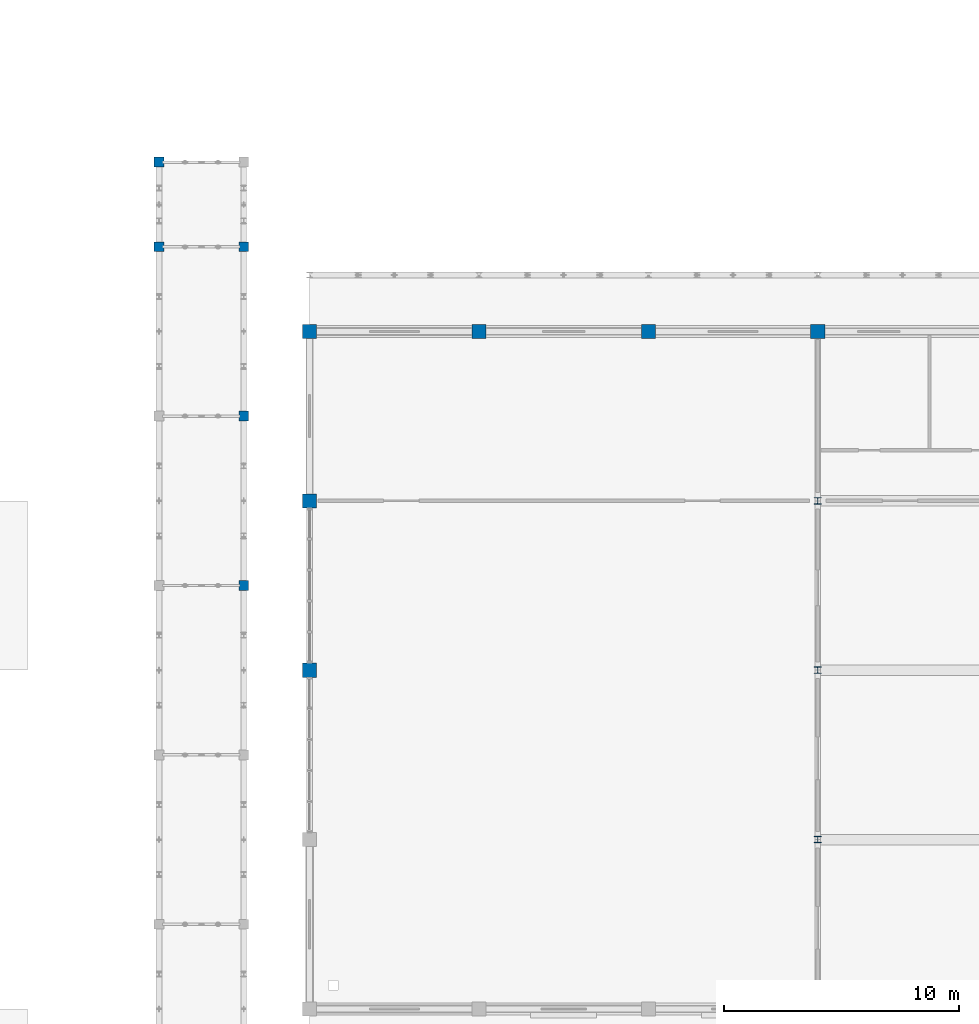
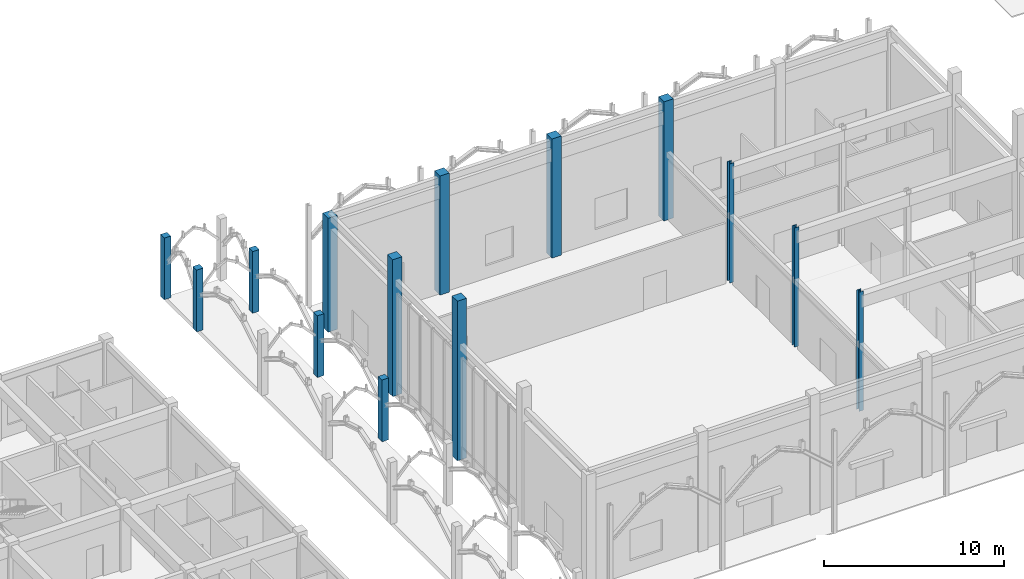
# One storey, part 8 of 138: 14 columns.
"""IFC4 building model written with IfcOpenShell, lengths in metres."""

import ifcopenshell
import ifcopenshell.guid

model = None  # the IFC model being written
_history = None  # IfcOwnerHistory: only IFC2X3 demands one
_inside = {}  # id of a spatial element -> (the spatial element, [elements in it])
_under = {}  # id of a project, library or spatial element -> (it, [spatial elements below it])
_declared = {}  # id of a project -> (the project, [libraries it declares])
_typed = {}  # id of a type object -> (the type object, [elements of that type])
_made_of = {}  # id of a material, layer set ... -> (it, [elements and type objects made of it])


def new_model(schema):
    """Start an empty IFC model of exactly this schema.

    Asked for "IFC4X3", IfcOpenShell would pick the latest addendum, in which some entities
    have other attributes; the version numbers below select the first issue.
    IFC2X3 requires an IfcOwnerHistory on every rooted entity: one is made here for all.
    """
    global model, _history
    if schema == "IFC4X3":
        model = ifcopenshell.file(schema_version=(4, 3, 0, 0))
    else:
        model = ifcopenshell.file(schema=schema)
    _inside.clear()
    _under.clear()
    _declared.clear()
    _typed.clear()
    _made_of.clear()
    _history = None
    if model.schema == "IFC2X3":
        org = make("IfcOrganization", Name="unknown")
        user = make(
            "IfcPersonAndOrganization",
            ThePerson=make("IfcPerson", FamilyName="unknown"),
            TheOrganization=org,
        )
        app = make(
            "IfcApplication",
            ApplicationDeveloper=org,
            Version="unknown",
            ApplicationFullName="unknown",
            ApplicationIdentifier="unknown",
        )
        _history = make(
            "IfcOwnerHistory",
            OwningUser=user,
            OwningApplication=app,
            ChangeAction="ADDED",
            CreationDate=0,
        )
    return model


def make(cls, **values):
    """One entity of the class cls with the attributes given. An attribute that is None is left unset."""
    return model.create_entity(
        cls, **{name: value for name, value in values.items() if value is not None}
    )


def rooted(cls, **values):
    """An entity with a GlobalId (a new one), such as an element, a storey or a relation."""
    return make(cls, GlobalId=ifcopenshell.guid.new(), OwnerHistory=_history, **values)


def si_unit(unit_type, name, prefix=None):
    """IfcSIUnit, for example si_unit("LENGTHUNIT", "METRE", prefix="MILLI")."""
    return make("IfcSIUnit", UnitType=unit_type, Prefix=prefix, Name=name)


def assignment(units):
    """IfcUnitAssignment: the units of a project."""
    return None if units is None else make("IfcUnitAssignment", Units=units)


def point(xyz):
    """IfcCartesianPoint."""
    return None if xyz is None else make("IfcCartesianPoint", Coordinates=xyz)


def direction(xyz):
    """IfcDirection."""
    return None if xyz is None else make("IfcDirection", DirectionRatios=xyz)


def frame(location, z_axis=None, x_axis=None):
    """IfcAxis2Placement3D, a coordinate frame: its origin and axes. An axis left out is left unset."""
    return make(
        "IfcAxis2Placement3D",
        Location=point(location),
        Axis=direction(z_axis),
        RefDirection=direction(x_axis),
    )


def frame_2d(location, x_axis=None):
    """IfcAxis2Placement2D, a coordinate frame in the plane: its origin and x axis."""
    return make(
        "IfcAxis2Placement2D", Location=point(location), RefDirection=direction(x_axis)
    )


def origin():
    """The frame at (0, 0, 0) with its axes left unset."""
    return frame((0.0, 0.0, 0.0))


def origin_2d():
    """The frame at (0, 0) in the plane with its x axis left unset."""
    return frame_2d((0.0, 0.0))


def place(relative_to, where):
    """IfcLocalPlacement: puts the frame where relative to a parent placement (None: the world)."""
    return make(
        "IfcLocalPlacement", PlacementRelTo=relative_to, RelativePlacement=where
    )


def context(
    kind, dimensions, precision=None, world=None, true_north=None, identifier=None
):
    """IfcGeometricRepresentationContext, for example the 3D "Model" context."""
    return make(
        "IfcGeometricRepresentationContext",
        ContextIdentifier=identifier,
        ContextType=kind,
        CoordinateSpaceDimension=dimensions,
        Precision=precision,
        WorldCoordinateSystem=world,
        TrueNorth=true_north,
    )


def subcontext(parent, identifier, kind, view, scale=None):
    """IfcGeometricRepresentationSubContext, for example "Body" below "Model"."""
    return make(
        "IfcGeometricRepresentationSubContext",
        ContextIdentifier=identifier,
        ContextType=kind,
        ParentContext=parent,
        TargetScale=scale,
        TargetView=view,
    )


def project(units=None, contexts=None):
    """IfcProject with its units and contexts."""
    return rooted(
        "IfcProject",
        Name="project",
        RepresentationContexts=contexts,
        UnitsInContext=assignment(units),
    )


def spatial(cls, under=None, at=None, **own):
    """A site, building, storey or space (cls), placed at a placement, below another one or the project."""
    s = rooted(cls, ObjectPlacement=at, **own)
    if under is not None:
        _under.setdefault(under.id(), (under, []))[1].append(s)
    return s


def profile(cls, at=None, kind="AREA", **sizes):
    """A parametric profile (cls). Its sizes go by their IFC names, for example OverallWidth=200.0."""
    return make(cls, ProfileType=kind, Position=at, **sizes)


def rectangle(**sizes):
    """IfcRectangleProfileDef."""
    return profile("IfcRectangleProfileDef", **sizes)


def i_section(**sizes):
    """IfcIShapeProfileDef."""
    return profile("IfcIShapeProfileDef", **sizes)


def extrude(swept, where, along, depth):
    """IfcExtrudedAreaSolid: the profile swept, set in the frame where, extruded along a direction by depth."""
    return make(
        "IfcExtrudedAreaSolid",
        SweptArea=swept,
        Position=where,
        ExtrudedDirection=direction(along),
        Depth=depth,
    )


def shape(context_of_items, identifier, shape_type, items):
    """IfcShapeRepresentation: the items that make up one representation, for example the "Body"."""
    return make(
        "IfcShapeRepresentation",
        ContextOfItems=context_of_items,
        RepresentationIdentifier=identifier,
        RepresentationType=shape_type,
        Items=items,
    )


def material(Name=None, Category=None):
    """IfcMaterial."""
    return make("IfcMaterial", Name=Name, Category=Category)


def material_profile(
    of_material, cross_section, Name=None, Category=None, Priority=None
):
    """IfcMaterialProfile: a cross section and its material."""
    return make(
        "IfcMaterialProfile",
        Name=Name,
        Material=of_material,
        Profile=cross_section,
        Priority=Priority,
        Category=Category,
    )


def profile_set(profiles, Name=None, composite=None):
    """IfcMaterialProfileSet."""
    return make(
        "IfcMaterialProfileSet",
        Name=Name,
        MaterialProfiles=profiles,
        CompositeProfile=composite,
    )


def made_of(thing, what):
    """Note that an element or type object is made of a material, layer set ...; save() writes the relation."""
    if what is not None:
        _made_of.setdefault(what.id(), (what, []))[1].append(thing)
    return thing


def type_object(cls, material=None, **own):
    """A type object (cls), such as IfcWallType, which elements share."""
    return made_of(rooted(cls, **own), material)


def element(
    cls,
    number,
    at=None,
    inside=None,
    cuts=None,
    type_object=None,
    material=None,
    context=None,
    identifier="Body",
    shape_type=None,
    held_by="IfcProductDefinitionShape",
    body=None,
    shapes=None,
    **own,
):
    """One element of the class cls, such as IfcWall. Its Tag is "e" and its number.

    at: its placement. inside: the storey or other place that contains it. cuts: it is an
    opening in that element (IfcRelVoidsElement). A single representation is given by context,
    identifier, shape_type and body (its items); several are given by shapes. held_by: the class
    of the entity that holds the representations. save() writes the other relations.
    """
    e = rooted(cls, Tag="e%d" % number, ObjectPlacement=at, **own)
    if body is not None:
        shapes = [shape(context, identifier, shape_type, body)]
    if shapes is not None:
        e.Representation = make(held_by, Representations=shapes)
    if inside is not None:
        _inside.setdefault(inside.id(), (inside, []))[1].append(e)
    if cuts is not None:
        rooted(
            "IfcRelVoidsElement", RelatingBuildingElement=cuts, RelatedOpeningElement=e
        )
    if type_object is not None:
        _typed.setdefault(type_object.id(), (type_object, []))[1].append(e)
    return made_of(e, material)


def aggregate(whole, parts):
    """IfcRelAggregates: a whole, such as a stair, and the parts it consists of."""
    return rooted("IfcRelAggregates", RelatingObject=whole, RelatedObjects=parts)


def save(model, path):
    """Write the relations noted so far, then the file.

    IfcRelAggregates (storeys below a building ...), IfcRelContainedInSpatialStructure (elements
    in a storey), IfcRelDefinesByType, IfcRelAssociatesMaterial and IfcRelDeclares: one each for
    every whole, place, type object, material and project.
    """
    for whole, parts in _under.values():
        aggregate(whole, parts)
    for where, things in _inside.values():
        rooted(
            "IfcRelContainedInSpatialStructure",
            RelatedElements=things,
            RelatingStructure=where,
        )
    for kind, things in _typed.values():
        rooted("IfcRelDefinesByType", RelatedObjects=things, RelatingType=kind)
    for what, things in _made_of.values():
        rooted("IfcRelAssociatesMaterial", RelatedObjects=things, RelatingMaterial=what)
    for by, libraries in _declared.values():
        rooted("IfcRelDeclares", RelatingContext=by, RelatedDefinitions=libraries)
    model.write(path)


model = new_model("IFC4")

# Units and contexts
model_context = context("Model", 3, precision=1e-05, world=origin(), true_north=direction((0.0, 1.0)))
body_context = subcontext(model_context, "Body", "Model", "MODEL_VIEW")
ifc_project = project(units=[si_unit("LENGTHUNIT", "METRE"), si_unit("AREAUNIT", "SQUARE_METRE"), si_unit("VOLUMEUNIT", "CUBIC_METRE"), si_unit("PLANEANGLEUNIT", "RADIAN"), si_unit("MASSUNIT", "GRAM", prefix="KILO"), si_unit("THERMODYNAMICTEMPERATUREUNIT", "KELVIN"), si_unit("POWERUNIT", "WATT")], contexts=[model_context])

# Site, building, storey
site_placement = place(None, origin())
site = spatial("IfcSite", under=ifc_project, at=site_placement, CompositionType="ELEMENT")
building_placement = place(site_placement, origin())
building = spatial("IfcBuilding", under=site, at=building_placement, Name="Tavuni Mirador Residences", CompositionType="ELEMENT")
storey_placement = place(building_placement, origin())
storey = spatial("IfcBuildingStorey", under=building, at=storey_placement, Name="L00", CompositionType="ELEMENT", Elevation=0.0)

# Columns
ifc_material_1 = material(Name="Precast concrete C40/50", Category="concrete")
ifc_material_profile_1 = material_profile(ifc_material_1, rectangle(XDim=0.419921875, YDim=0.419921875, at=origin_2d()), Name="CORAL 420x420", Category="concrete")
ifc_profile_set_1 = profile_set([ifc_material_profile_1], Name="Precast concrete C40/50")
column_type_1 = type_object("IfcColumnType", Name="CT-PIL420", PredefinedType="PILASTER", material=ifc_profile_set_1)
for number, where, z_axis, x_axis, name in (
    (1, (36.800048828125, 90.0, 0.0), (0.0, 0.0, 1.0), (1.0, 0.0, 0.0), "COL-PAV-COL-L00-01-05"),
    (2, (36.800048828125, 97.199951171875, 0.0), (0.0, 0.0, 1.0), (1.0, 0.0, 0.0), "COL-PAV-COL-L00-01-06"),
    (3, (33.199951171875, 104.39990234375, 0.0), (0.0, 0.0, 1.0), (1.0, 0.0, 0.0), "COL-PAV-COL-L00-00-07"),
    (4, (36.800048828125, 104.39990234375, 0.0), (0.0, 0.0, 1.0), (1.0, 0.0, 0.0), "COL-PAV-COL-L00-01-07"),
    (5, (33.199951171875, 108.0, 0.0), (0.0, 0.0, 1.0), (1.0, 0.0, 0.0), "COL-PAV-COL-L00-00-08"),
):
    element("IfcColumn", number, at=place(storey_placement, frame(where, z_axis=z_axis, x_axis=x_axis)), inside=storey, type_object=column_type_1, Name=name, PredefinedType="PILASTER", context=body_context, shape_type="SweptSolid", body=[
        extrude(rectangle(XDim=0.419921875, YDim=0.419921875, at=origin_2d()), origin(), (0.0, 0.0, 1.0), 4.199951171875),
    ])
ifc_material_profile_2 = material_profile(ifc_material_1, rectangle(XDim=0.60009765625, YDim=0.60009765625, at=origin_2d()), Name="RC 600x600", Category="concrete")
ifc_profile_set_2 = profile_set([ifc_material_profile_2], Name="Precast concrete C40/50")
column_type_2 = type_object("IfcColumnType", Name="CT-RC600", PredefinedType="COLUMN", material=ifc_profile_set_2)
column_1_placement = place(storey_placement, frame((39.60009765625, 86.39990234375, 0.0), z_axis=(0.0, 0.0, 1.0), x_axis=(1.0, 0.0, 0.0)))
element("IfcColumn", 6, at=column_1_placement, inside=storey, type_object=column_type_2, Name="COL-PAV-HALL-L00-00-02", PredefinedType="COLUMN", context=body_context, shape_type="SweptSolid", body=[
    extrude(rectangle(XDim=0.60009765625, YDim=0.60009765625, at=origin_2d()), origin(), (0.0, 0.0, 1.0), 10.844970703125),
])
column_2_placement = place(storey_placement, frame((39.60009765625, 93.60009765625, 0.0), z_axis=(0.0, 0.0, 1.0), x_axis=(1.0, 0.0, 0.0)))
element("IfcColumn", 7, at=column_2_placement, inside=storey, type_object=column_type_2, Name="COL-PAV-HALL-L00-00-03", PredefinedType="COLUMN", context=body_context, shape_type="SweptSolid", body=[
    extrude(rectangle(XDim=0.60009765625, YDim=0.60009765625, at=origin_2d()), origin(), (0.0, 0.0, 1.0), 9.294921875),
])
column_3_placement = place(storey_placement, frame((39.60009765625, 100.800048828125, 0.0), z_axis=(0.0, 0.0, 1.0), x_axis=(1.0, 0.0, 0.0)))
element("IfcColumn", 8, at=column_3_placement, inside=storey, type_object=column_type_2, Name="COL-PAV-HALL-L00-00-04", PredefinedType="COLUMN", context=body_context, shape_type="SweptSolid", body=[
    extrude(rectangle(XDim=0.60009765625, YDim=0.60009765625, at=origin_2d()), origin(), (0.0, 0.0, 1.0), 7.7451171875),
])
for number, where, z_axis, x_axis, name in (
    (9, (46.800048828125, 100.800048828125, 0.0), (0.0, 0.0, 1.0), (1.0, 0.0, 0.0), "COL-PAV-HALL-L00-01-04"),
    (10, (54.0, 100.800048828125, 0.0), (0.0, 0.0, 1.0), (1.0, 0.0, 0.0), "COL-PAV-HALL-L00-02-04"),
    (11, (61.199951171875, 100.800048828125, 0.0), (0.0, 0.0, 1.0), (1.0, 0.0, 0.0), "COL-PAV-HALL-L00-03-04"),
):
    element("IfcColumn", number, at=place(storey_placement, frame(where, z_axis=z_axis, x_axis=x_axis)), inside=storey, type_object=column_type_2, Name=name, PredefinedType="COLUMN", context=body_context, shape_type="SweptSolid", body=[
        extrude(rectangle(XDim=0.60009765625, YDim=0.60009765625, at=origin_2d()), origin(), (0.0, 0.0, 1.0), 8.10009765625),
    ])
ifc_material_2 = material(Name="Structural steel S355", Category="steel")
ifc_material_profile_3 = material_profile(ifc_material_2, i_section(OverallWidth=0.280029296875, OverallDepth=0.280029296875, WebThickness=0.010498046875, FlangeThickness=0.01806640625, FilletRadius=0.02392578125, at=origin_2d()), Name="HEB 280", Category="steel")
ifc_profile_set_3 = profile_set([ifc_material_profile_3], Name="Structural steel S355")
column_type_3 = type_object("IfcColumnType", Name="CT-ST-HEB280", PredefinedType="COLUMN", material=ifc_profile_set_3)
for number, where, z_axis, x_axis, name in (
    (12, (61.199951171875, 79.199951171875, 0.0), (0.0, 0.0, 1.0), (1.0, 0.0, 0.0), "COL-PAV-HALL-L00-03-01"),
    (13, (61.199951171875, 86.39990234375, 0.0), (0.0, 0.0, 1.0), (1.0, 0.0, 0.0), "COL-PAV-HALL-L00-03-02"),
    (14, (61.199951171875, 93.60009765625, 0.0), (0.0, 0.0, 1.0), (1.0, 0.0, 0.0), "COL-PAV-HALL-L00-03-03"),
):
    element("IfcColumn", number, at=place(storey_placement, frame(where, z_axis=z_axis, x_axis=x_axis)), inside=storey, type_object=column_type_3, Name=name, PredefinedType="COLUMN", context=body_context, shape_type="SweptSolid", body=[
        extrude(i_section(OverallWidth=0.280029296875, OverallDepth=0.280029296875, WebThickness=0.010498046875, FlangeThickness=0.01806640625, FilletRadius=0.02392578125, at=origin_2d()), origin(), (0.0, 0.0, 1.0), 8.10009765625),
    ])

save(model, "model.ifc")
